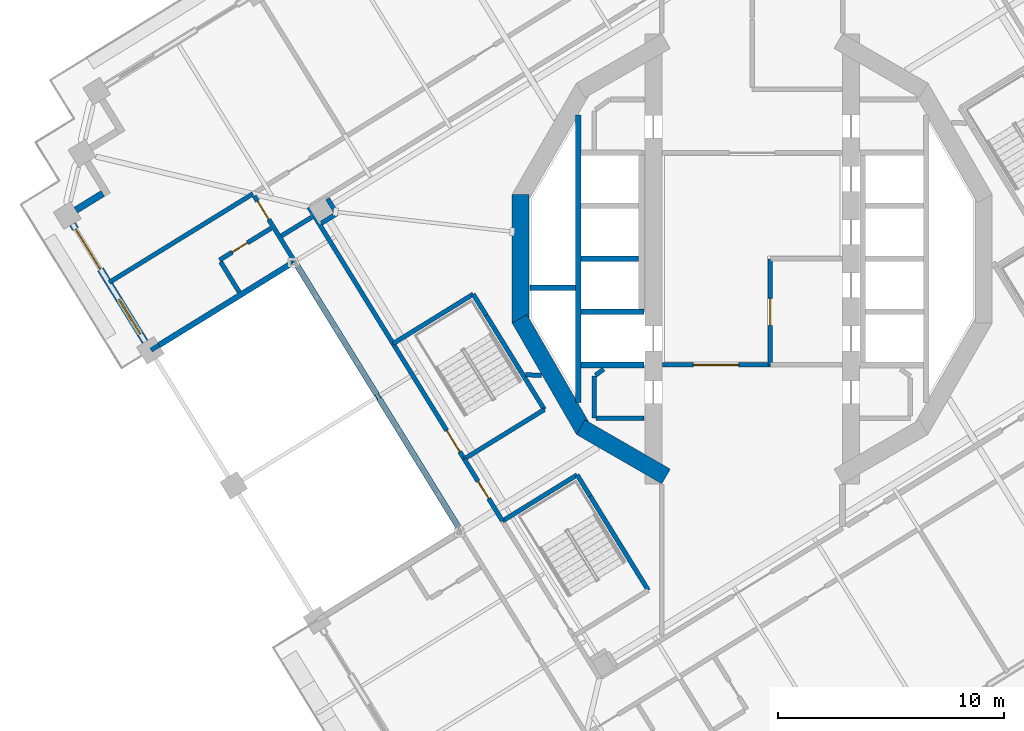
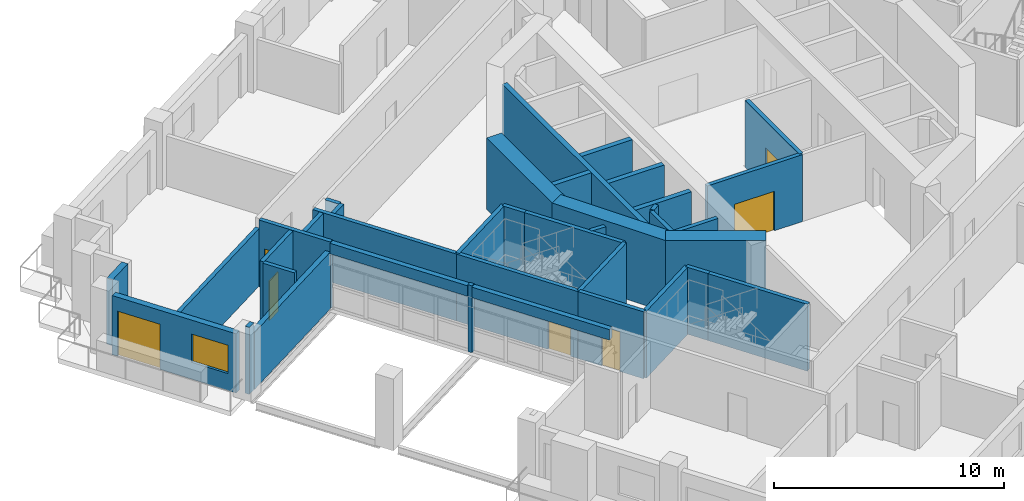
# One storey, part 6 of 20: 38 walls, 7 doors, 1 window, 8 openings.
"""IFC4 building model written with IfcOpenShell, lengths in metres."""

from ifc_helpers import new_model, si_unit, direction, frame, frame_2d, origin, place, context, subcontext, project, spatial, rectangle, extrude, material, layer, layer_set, type_object, element, fill, save


model = new_model("IFC4")

# Units and contexts
model_context = context("Model", 3, precision=1e-05, world=origin(), true_north=direction((0.0, 1.0)))
body_context = subcontext(model_context, "Body", "Model", "MODEL_VIEW")
ifc_project = project(units=[si_unit("LENGTHUNIT", "METRE"), si_unit("AREAUNIT", "SQUARE_METRE"), si_unit("VOLUMEUNIT", "CUBIC_METRE"), si_unit("PLANEANGLEUNIT", "RADIAN"), si_unit("MASSUNIT", "GRAM", prefix="KILO")], contexts=[model_context])

# Site, building, storey
site_placement = place(None, origin())
site = spatial("IfcSite", under=ifc_project, at=site_placement, CompositionType="ELEMENT")
building_placement = place(site_placement, origin())
building = spatial("IfcBuilding", under=site, at=building_placement, Name="Cantera Rosa Tower", CompositionType="ELEMENT")
storey_placement = place(building_placement, frame((0.0, 0.0, 151.39990234375)))
storey = spatial("IfcBuildingStorey", under=building, at=storey_placement, Name="L32", CompositionType="ELEMENT", Elevation=151.39990234375)

# Wall, opening, door
ifc_material_1 = material(Name="Gypsum board partition")
ifc_layer_1 = layer(ifc_material_1, 0.199951171875)
ifc_layer_set_1 = layer_set([ifc_layer_1], Name="CORRIDOR WALL 200 H3550")
wall_type_1 = type_object("IfcWallType", Name="CORRIDOR WALL 200 H3550", PredefinedType="PARTITIONING", material=ifc_layer_set_1)
wall_1_placement = place(storey_placement, frame((-22.037109375, 2.77392578125, 0.0), z_axis=(0.0, 0.0, 1.0), x_axis=(0.524928009261, -0.851146629608, 0.0)))
wall_1 = element("IfcWall", 1, at=wall_1_placement, inside=storey, type_object=wall_type_1, Name="CORRIDOR WALL L32-004", PredefinedType="PARTITIONING", context=body_context, shape_type="SweptSolid", body=[
    extrude(rectangle(XDim=3.52490234375, YDim=0.199951171875, at=frame_2d((1.762451171875, 0.0))), origin(), (0.0, 0.0, 1.0), 3.550048828125),
])
opening_1_placement = place(wall_1_placement, frame((0.264892578125, 0.0, 0.0)))
opening_1 = element("IfcOpeningElement", 2, at=opening_1_placement, cuts=wall_1, Name="Opening L32-030", PredefinedType="OPENING", context=body_context, shape_type="SweptSolid", body=[
    extrude(rectangle(XDim=0.949951171875, YDim=2.10009765625, at=frame_2d((0.47509765625, 1.050048828125))), frame((0.0, 0.10986328125, 0.0), z_axis=(0.0, -1.0, 0.0), x_axis=(1.0, 0.0, 0.0)), (0.0, 0.0, 1.0), 0.219970703125),
])
ifc_material_2 = material(Name="Timber door leaf", Category="wood")
door_type_1 = type_object("IfcDoorType", Name="ROOM DOOR 950x2100", OperationType="NOTDEFINED", PredefinedType="DOOR", material=ifc_material_2)
door_1_placement = place(opening_1_placement, origin())
door_1 = element("IfcDoor", 3, at=door_1_placement, inside=storey, type_object=door_type_1, Name="DOOR L32-030", OperationType="NOTDEFINED", OverallHeight=2.10009765625, OverallWidth=0.949951171875, PredefinedType="DOOR", context=body_context, shape_type="SweptSolid", body=[
    extrude(rectangle(XDim=0.949951171875, YDim=2.10009765625, at=frame_2d((0.47509765625, 1.050048828125))), frame((0.0, 0.02490234375, 0.0), z_axis=(0.0, -1.0, 0.0), x_axis=(1.0, 0.0, 0.0)), (0.0, 0.0, 1.0), 0.050048828125),
])
fill(opening_1, door_1)

# Walls
wall_2_placement = place(storey_placement, frame((-16.62109375, -6.007080078125, 0.0), z_axis=(0.0, 0.0, 1.0), x_axis=(0.525089061607, -0.851047282694, 0.0)))
element("IfcWall", 4, at=wall_2_placement, inside=storey, type_object=wall_type_1, Name="CORRIDOR WALL L32-005", PredefinedType="PARTITIONING", context=body_context, shape_type="SweptSolid", body=[
    extrude(rectangle(XDim=0.2060546875, YDim=0.199951171875, at=frame_2d((0.10302734375, 0.0))), origin(), (0.0, 0.0, 1.0), 3.550048828125),
])
wall_3_placement = place(storey_placement, frame((-20.8349609375, 1.015380859375, 0.0), z_axis=(0.0, 0.0, 1.0), x_axis=(0.851143253059, 0.52493348414, 0.0)))
element("IfcWall", 5, at=wall_3_placement, inside=storey, type_object=wall_type_1, Name="CORRIDOR WALL L32-007", PredefinedType="PARTITIONING", context=body_context, shape_type="SweptSolid", body=[
    extrude(rectangle(XDim=1.579833984375, YDim=0.199951171875, at=frame_2d((0.7900390625, 0.0))), origin(), (0.0, 0.0, 1.0), 3.550048828125),
])
wall_4_placement = place(storey_placement, frame((-19.623291015625, 2.2890625, 0.0), z_axis=(0.0, 0.0, 1.0), x_axis=(0.524973806956, -0.851118383076, 0.0)))
element("IfcWall", 6, at=wall_4_placement, inside=storey, type_object=wall_type_1, Name="CORRIDOR WALL L32-009", PredefinedType="PARTITIONING", context=body_context, shape_type="SweptSolid", body=[
    extrude(rectangle(XDim=7.100830078125, YDim=0.199951171875, at=frame_2d((3.55029296875, 0.0))), origin(), (0.0, 0.0, 1.0), 3.550048828125),
])

# Wall, opening, door
wall_5_placement = place(storey_placement, frame((-12.74560546875, -8.861328125, 0.0), z_axis=(0.0, 0.0, 1.0), x_axis=(0.524959112102, -0.851127446756, 0.0)))
wall_5 = element("IfcWall", 7, at=wall_5_placement, inside=storey, type_object=wall_type_1, Name="CORRIDOR WALL L32-017", PredefinedType="PARTITIONING", context=body_context, shape_type="SweptSolid", body=[
    extrude(rectangle(XDim=3.223876953125, YDim=0.199951171875, at=frame_2d((1.61181640625, 0.0))), origin(), (0.0, 0.0, 1.0), 3.550048828125),
])
opening_2_placement = place(wall_5_placement, frame((1.161865234375, 0.0, 0.0)))
opening_2 = element("IfcOpeningElement", 8, at=opening_2_placement, cuts=wall_5, Name="Opening L32-007", PredefinedType="OPENING", context=body_context, shape_type="SweptSolid", body=[
    extrude(rectangle(XDim=0.89990234375, YDim=2.10009765625, at=frame_2d((0.449951171875, 1.050048828125))), frame((0.0, 0.10986328125, 0.0), z_axis=(0.0, -1.0, 0.0), x_axis=(1.0, 0.0, 0.0)), (0.0, 0.0, 1.0), 0.219970703125),
])
ifc_material_3 = material(Name="Timber door leaf", Category="wood")
door_type_2 = type_object("IfcDoorType", Name="SERVICE DOOR 900x2100", OperationType="NOTDEFINED", PredefinedType="DOOR", material=ifc_material_3)
door_2_placement = place(opening_2_placement, origin())
door_2 = element("IfcDoor", 9, at=door_2_placement, inside=storey, type_object=door_type_2, Name="DOOR L32-007", OperationType="NOTDEFINED", OverallHeight=2.10009765625, OverallWidth=0.89990234375, PredefinedType="DOOR", context=body_context, shape_type="SweptSolid", body=[
    extrude(rectangle(XDim=0.89990234375, YDim=2.10009765625, at=frame_2d((0.449951171875, 1.050048828125))), frame((0.0, 0.02490234375, 0.0), z_axis=(0.0, -1.0, 0.0), x_axis=(1.0, 0.0, 0.0)), (0.0, 0.0, 1.0), 0.050048828125),
])
fill(opening_2, door_2)

wall_6_placement = place(storey_placement, frame((0.800048828125, -4.699951171875, 0.0), z_axis=(0.0, 0.0, 1.0), x_axis=(-1.0, 0.0, 0.0)))
wall_6 = element("IfcWall", 10, at=wall_6_placement, inside=storey, type_object=wall_type_1, Name="CORRIDOR WALL L32-062", PredefinedType="PARTITIONING", context=body_context, shape_type="SweptSolid", body=[
    extrude(rectangle(XDim=4.77001953125, YDim=0.199951171875, at=frame_2d((2.385009765625, 0.0))), origin(), (0.0, 0.0, 1.0), 3.550048828125),
])
opening_3_placement = place(wall_6_placement, frame((1.39990234375, 0.0, 0.0)))
opening_3 = element("IfcOpeningElement", 11, at=opening_3_placement, cuts=wall_6, Name="Opening L32-012", PredefinedType="OPENING", context=body_context, shape_type="SweptSolid", body=[
    extrude(rectangle(XDim=2.0, YDim=2.10009765625, at=frame_2d((1.0, 1.050048828125))), frame((0.0, 0.10986328125, 0.0), z_axis=(0.0, -1.0, 0.0), x_axis=(1.0, 0.0, 0.0)), (0.0, 0.0, 1.0), 0.219970703125),
])
ifc_material_4 = material(Name="Steel S355J2 (EN 10025-2)", Category="steel")
door_type_3 = type_object("IfcDoorType", Name="LOBBY SCREEN DOOR 2000x2100", OperationType="NOTDEFINED", PredefinedType="DOOR", material=ifc_material_4)
door_3_placement = place(opening_3_placement, origin())
door_3 = element("IfcDoor", 12, at=door_3_placement, inside=storey, type_object=door_type_3, Name="DOOR L32-012", OperationType="NOTDEFINED", OverallHeight=2.10009765625, OverallWidth=2.0, PredefinedType="DOOR", context=body_context, shape_type="SweptSolid", body=[
    extrude(rectangle(XDim=2.0, YDim=2.10009765625, at=frame_2d((1.0, 1.050048828125))), frame((0.0, 0.02490234375, 0.0), z_axis=(0.0, -1.0, 0.0), x_axis=(1.0, 0.0, 0.0)), (0.0, 0.0, 1.0), 0.050048828125),
])
fill(opening_3, door_3)

# Wall
ifc_material_5 = material(Name="Hollow clay masonry with cantera stone cladding", Category="masonry")
ifc_layer_2 = layer(ifc_material_5, 0.300048828125)
ifc_layer_set_2 = layer_set([ifc_layer_2], Name="EW-LOGGIA 300")
wall_type_2 = type_object("IfcWallType", Name="EW-LOGGIA 300", PredefinedType="SOLIDWALL", material=ifc_layer_set_2)
wall_7_placement = place(storey_placement, frame((-28.74658203125, 2.888916015625, 0.0), z_axis=(0.0, 0.0, 1.0), x_axis=(-0.851040987269, -0.525099264891, 0.0)))
element("IfcWall", 13, at=wall_7_placement, inside=storey, type_object=wall_type_2, Name="EN-L32-W14b", PredefinedType="SOLIDWALL", context=body_context, shape_type="SweptSolid", body=[
    extrude(rectangle(XDim=1.39990234375, YDim=0.300048828125, at=frame_2d((0.699951171875, 0.0))), origin(), (0.0, 0.0, 1.0), 3.5),
])

# Wall, openings, window, door
ifc_material_6 = material(Name="Hollow clay masonry with cantera stone cladding", Category="masonry")
ifc_layer_3 = layer(ifc_material_6, 0.300048828125)
ifc_layer_set_3 = layer_set([ifc_layer_3], Name="EW-LOGGIA 300 H3140")
wall_type_3 = type_object("IfcWallType", Name="EW-LOGGIA 300 H3140", PredefinedType="SOLIDWALL", material=ifc_layer_set_3)
wall_8_placement = place(storey_placement, frame((-30.084716796875, 1.53466796875, 0.0), z_axis=(0.0, 0.0, 1.0), x_axis=(0.524987447654, -0.851109969279, 0.0)))
wall_8 = element("IfcWall", 14, at=wall_8_placement, inside=storey, type_object=wall_type_3, Name="EN-L32-W15", PredefinedType="SOLIDWALL", context=body_context, shape_type="SweptSolid", body=[
    extrude(rectangle(XDim=6.119873046875, YDim=0.300048828125, at=frame_2d((3.06005859375, 0.0))), origin(), (0.0, 0.0, 1.0), 3.14013671875),
])
opening_4_placement = place(wall_8_placement, frame((0.2548828125, 0.0, 0.0)))
opening_4 = element("IfcOpeningElement", 15, at=opening_4_placement, cuts=wall_8, Name="Opening L32-TD21", PredefinedType="OPENING", context=body_context, shape_type="SweptSolid", body=[
    extrude(rectangle(XDim=2.10009765625, YDim=2.39990234375, at=frame_2d((1.050048828125, 1.199951171875))), frame((0.0, 0.159912109375, 0.0), z_axis=(0.0, -1.0, 0.0), x_axis=(1.0, 0.0, 0.0)), (0.0, 0.0, 1.0), 0.320068359375),
])
opening_5_placement = place(wall_8_placement, frame((3.9150390625, 0.0, 0.89990234375)))
opening_5 = element("IfcOpeningElement", 16, at=opening_5_placement, cuts=wall_8, Name="Opening L32-W22", PredefinedType="OPENING", context=body_context, shape_type="SweptSolid", body=[
    extrude(rectangle(XDim=1.800048828125, YDim=1.5, at=frame_2d((0.89990234375, 0.75))), frame((0.0, 0.159912109375, 0.0), z_axis=(0.0, -1.0, 0.0), x_axis=(1.0, 0.0, 0.0)), (0.0, 0.0, 1.0), 0.320068359375),
])
ifc_material_7 = material(Name="Aluminium frame with clear glass", Category="aluminium")
window_type = type_object("IfcWindowType", Name="Hotel room window 1800x1500", PartitioningType="DOUBLE_PANEL_VERTICAL", PredefinedType="WINDOW", material=ifc_material_7)
window_placement = place(opening_5_placement, origin())
window = element("IfcWindow", 17, at=window_placement, inside=storey, type_object=window_type, Name="WINDOW L32-W22", OverallHeight=1.5, OverallWidth=1.800048828125, PartitioningType="SINGLE_PANEL", PredefinedType="WINDOW", context=body_context, shape_type="SweptSolid", body=[
    extrude(rectangle(XDim=1.800048828125, YDim=1.5, at=frame_2d((0.89990234375, 0.75))), frame((0.0, 0.030029296875, 0.0), z_axis=(0.0, -1.0, 0.0), x_axis=(1.0, 0.0, 0.0)), (0.0, 0.0, 1.0), 0.06005859375),
])
fill(opening_5, window)
ifc_material_8 = material(Name="Aluminium frame with clear glass", Category="aluminium")
door_type_4 = type_object("IfcDoorType", Name="TD-H 2100x2400", OperationType="NOTDEFINED", PredefinedType="DOOR", material=ifc_material_8)
door_4_placement = place(opening_4_placement, origin())
door_4 = element("IfcDoor", 18, at=door_4_placement, inside=storey, type_object=door_type_4, Name="LOGGIA DOOR L32-TD21", OperationType="SLIDING_TO_LEFT", OverallHeight=2.39990234375, OverallWidth=2.10009765625, PredefinedType="DOOR", context=body_context, shape_type="SweptSolid", body=[
    extrude(rectangle(XDim=2.10009765625, YDim=2.39990234375, at=frame_2d((1.050048828125, 1.199951171875))), frame((0.0, 0.02490234375, 0.0), z_axis=(0.0, -1.0, 0.0), x_axis=(1.0, 0.0, 0.0)), (0.0, 0.0, 1.0), 0.050048828125),
])
fill(opening_4, door_4)

# Walls
ifc_material_9 = material(Name="Concrete C40/50", Category="concrete")
ifc_layer_4 = layer(ifc_material_9, 0.25)
ifc_layer_set_4 = layer_set([ifc_layer_4], Name="EW-POCKET CHEEK 250 H3020")
wall_type_4 = type_object("IfcWallType", Name="EW-POCKET CHEEK 250 H3020", PredefinedType="SOLIDWALL", material=ifc_layer_set_4)
wall_9_placement = place(storey_placement, frame((-26.252685546875, -3.82080078125, 0.0), z_axis=(0.0, 0.0, 1.0), x_axis=(0.851127184208, 0.524959537777, 0.0)))
element("IfcWall", 19, at=wall_9_placement, inside=storey, type_object=wall_type_4, Name="POCKET CHEEK A L32", PredefinedType="SOLIDWALL", context=body_context, shape_type="SweptSolid", body=[
    extrude(rectangle(XDim=6.949951171875, YDim=0.25, at=frame_2d((3.47509765625, 0.0))), origin(), (0.0, 0.0, 1.0), 3.02001953125),
])
ifc_material_10 = material(Name="Hollow clay masonry with cantera stone cladding", Category="masonry")
ifc_layer_5 = layer(ifc_material_10, 0.25)
ifc_layer_set_5 = layer_set([ifc_layer_5], Name="EW-POCKET REAR 250")
wall_type_5 = type_object("IfcWallType", Name="EW-POCKET REAR 250", PredefinedType="SOLIDWALL", material=ifc_layer_set_5)
for number, where, z_axis, x_axis, name in (
    (20, (-20.186767578125, -0.226318359375, 2.942138671875), (0.0, 0.0, 1.0), (0.524981583363, -0.851113586503, 0.0), "POCKET SPANDREL L32-1"),
    (21, (-16.512939453125, -6.182373046875, 2.942138671875), (0.0, 0.0, 1.0), (0.524981583363, -0.851113586503, 0.0), "POCKET SPANDREL L32-2"),
):
    element("IfcWall", number, at=place(storey_placement, frame(where, z_axis=z_axis, x_axis=x_axis)), inside=storey, type_object=wall_type_5, Name=name, PredefinedType="SOLIDWALL", context=body_context, shape_type="SweptSolid", body=[
        extrude(rectangle(XDim=6.7919921875, YDim=0.25, at=frame_2d((3.39599609375, 0.0))), origin(), (0.0, 0.0, 1.0), 0.557861328125),
    ])

# Wall, opening, door
ifc_material_11 = material(Name="Gypsum board partition")
ifc_layer_6 = layer(ifc_material_11, 0.199951171875)
ifc_layer_set_6 = layer_set([ifc_layer_6], Name="PARTITION 200 H3550")
wall_type_6 = type_object("IfcWallType", Name="PARTITION 200 H3550", PredefinedType="PARTITIONING", material=ifc_layer_set_6)
wall_10_placement = place(storey_placement, frame((-23.580322265625, -0.057861328125, 0.0), z_axis=(0.0, 0.0, 1.0), x_axis=(0.851110493934, 0.524986597082, 0.0)))
wall_10 = element("IfcWall", 22, at=wall_10_placement, inside=storey, type_object=wall_type_6, Name="PARTITION L32-001", PredefinedType="PARTITIONING", context=body_context, shape_type="SweptSolid", body=[
    extrude(rectangle(XDim=2.679931640625, YDim=0.199951171875, at=frame_2d((1.33984375, 0.0))), origin(), (0.0, 0.0, 1.0), 3.550048828125),
])
opening_6_placement = place(wall_10_placement, frame((0.6640625, 0.0, 0.0)))
opening_6 = element("IfcOpeningElement", 23, at=opening_6_placement, cuts=wall_10, Name="Opening L32-031", PredefinedType="OPENING", context=body_context, shape_type="SweptSolid", body=[
    extrude(rectangle(XDim=0.800048828125, YDim=2.10009765625, at=frame_2d((0.39990234375, 1.050048828125))), frame((0.0, 0.10986328125, 0.0), z_axis=(0.0, -1.0, 0.0), x_axis=(1.0, 0.0, 0.0)), (0.0, 0.0, 1.0), 0.219970703125),
])
ifc_material_12 = material(Name="Timber door leaf", Category="wood")
door_type_5 = type_object("IfcDoorType", Name="BATHROOM DOOR 800x2100", OperationType="NOTDEFINED", PredefinedType="DOOR", material=ifc_material_12)
door_5_placement = place(opening_6_placement, origin())
door_5 = element("IfcDoor", 24, at=door_5_placement, inside=storey, type_object=door_type_5, Name="DOOR L32-031", OperationType="NOTDEFINED", OverallHeight=2.10009765625, OverallWidth=0.800048828125, PredefinedType="DOOR", context=body_context, shape_type="SweptSolid", body=[
    extrude(rectangle(XDim=0.800048828125, YDim=2.10009765625, at=frame_2d((0.39990234375, 1.050048828125))), frame((0.0, 0.02490234375, 0.0), z_axis=(0.0, -1.0, 0.0), x_axis=(1.0, 0.0, 0.0)), (0.0, 0.0, 1.0), 0.050048828125),
])
fill(opening_6, door_5)

# Walls
wall_11_placement = place(storey_placement, frame((-22.706298828125, -1.474853515625, 0.0), z_axis=(0.0, 0.0, 1.0), x_axis=(-0.524941445141, 0.851138343146, 0.0)))
element("IfcWall", 25, at=wall_11_placement, inside=storey, type_object=wall_type_6, Name="PARTITION L32-002", PredefinedType="PARTITIONING", context=body_context, shape_type="SweptSolid", body=[
    extrude(rectangle(XDim=1.56494140625, YDim=0.199951171875, at=frame_2d((0.782470703125, 0.0))), origin(), (0.0, 0.0, 1.0), 3.550048828125),
])
wall_12_placement = place(storey_placement, frame((-26.252685546875, -3.82080078125, 0.0), z_axis=(0.0, 0.0, 1.0), x_axis=(-0.85085913097, -0.525393889615, 0.0)))
element("IfcWall", 26, at=wall_12_placement, inside=storey, type_object=wall_type_6, Name="PARTITION L32-008", PredefinedType="PARTITIONING", context=body_context, shape_type="SweptSolid", body=[
    extrude(rectangle(XDim=0.420166015625, YDim=0.199951171875, at=frame_2d((0.2099609375, 0.0))), origin(), (0.0, 0.0, 1.0), 3.550048828125),
])
wall_13_placement = place(storey_placement, frame((-19.065673828125, 1.575439453125, 0.0), z_axis=(0.0, 0.0, 1.0), x_axis=(0.85101860469, 0.525135539144, 0.0)))
element("IfcWall", 27, at=wall_13_placement, inside=storey, type_object=wall_type_6, Name="PARTITION L32-011", PredefinedType="PARTITIONING", context=body_context, shape_type="SweptSolid", body=[
    extrude(rectangle(XDim=0.800048828125, YDim=0.199951171875, at=frame_2d((0.39990234375, 0.0))), origin(), (0.0, 0.0, 1.0), 3.550048828125),
])
wall_14_placement = place(storey_placement, frame((-18.437255859375, 2.08056640625, 0.0), z_axis=(0.0, 0.0, 1.0), x_axis=(-0.524858358509, 0.851189581412, 0.0)))
element("IfcWall", 28, at=wall_14_placement, inside=storey, type_object=wall_type_6, Name="PARTITION L32-012", PredefinedType="PARTITIONING", context=body_context, shape_type="SweptSolid", body=[
    extrude(rectangle(XDim=0.68017578125, YDim=0.199951171875, at=frame_2d((0.340087890625, 0.0))), origin(), (0.0, 0.0, 1.0), 3.550048828125),
])
wall_15_placement = place(storey_placement, frame((-9.32275390625, -5.162841796875, 0.0), z_axis=(0.0, 0.0, 1.0), x_axis=(-0.999176042659, 0.040586152507, 0.0)))
element("IfcWall", 29, at=wall_15_placement, inside=storey, type_object=wall_type_6, Name="PARTITION L32-024", PredefinedType="PARTITIONING", context=body_context, shape_type="SweptSolid", body=[
    extrude(rectangle(XDim=0.709716796875, YDim=0.199951171875, at=frame_2d((0.35498046875, 0.0))), origin(), (0.0, 0.0, 1.0), 3.550048828125),
])
wall_16_placement = place(storey_placement, frame((-7.0, -7.050048828125, 0.0), z_axis=(0.0, 0.0, 1.0), x_axis=(0.0, 1.0, 0.0)))
element("IfcWall", 30, at=wall_16_placement, inside=storey, type_object=wall_type_6, Name="PARTITION L32-035", PredefinedType="PARTITIONING", context=body_context, shape_type="SweptSolid", body=[
    extrude(rectangle(XDim=1.85009765625, YDim=0.199951171875, at=frame_2d((0.925048828125, 0.0))), origin(), (0.0, 0.0, 1.0), 3.550048828125),
])
wall_17_placement = place(storey_placement, frame((-6.935302734375, -5.15283203125, 0.0), z_axis=(0.0, 0.0, 1.0), x_axis=(0.808147744029, 0.58897981614, 0.0)))
element("IfcWall", 31, at=wall_17_placement, inside=storey, type_object=wall_type_6, Name="PARTITION L32-036", PredefinedType="PARTITIONING", context=body_context, shape_type="SweptSolid", body=[
    extrude(rectangle(XDim=0.448974609375, YDim=0.199951171875, at=frame_2d((0.224609375, 0.0))), origin(), (0.0, 0.0, 1.0), 3.550048828125),
])
wall_18_placement = place(storey_placement, frame((-4.780029296875, -7.050048828125, 0.0), z_axis=(0.0, 0.0, 1.0), x_axis=(-1.0, 0.0, 0.0)))
element("IfcWall", 32, at=wall_18_placement, inside=storey, type_object=wall_type_6, Name="PARTITION L32-046", PredefinedType="PARTITIONING", context=body_context, shape_type="SweptSolid", body=[
    extrude(rectangle(XDim=2.139892578125, YDim=0.199951171875, at=frame_2d((1.06982421875, 0.0))), origin(), (0.0, 0.0, 1.0), 3.550048828125),
])
ifc_material_13 = material(Name="Gypsum board partition")
ifc_layer_7 = layer(ifc_material_13, 0.199951171875)
ifc_layer_set_7 = layer_set([ifc_layer_7], Name="PARTY WALL 200 H3050")
wall_type_7 = type_object("IfcWallType", Name="PARTY WALL 200 H3050", PredefinedType="PARTITIONING", material=ifc_layer_set_7)
wall_19_placement = place(storey_placement, frame((-22.10009765625, 2.876220703125, 0.0), z_axis=(0.0, 0.0, 1.0), x_axis=(-0.85111586596, -0.524977887831, 0.0)))
element("IfcWall", 33, at=wall_19_placement, inside=storey, type_object=wall_type_7, Name="PARTY WALL L32-003", PredefinedType="PARTITIONING", context=body_context, shape_type="SweptSolid", body=[
    extrude(rectangle(XDim=7.469970703125, YDim=0.199951171875, at=frame_2d((3.73486328125, 0.0))), origin(), (0.0, 0.0, 1.0), 3.050048828125),
])
ifc_material_14 = material(Name="Concrete C60/75", Category="concrete")
ifc_layer_8 = layer(ifc_material_14, 0.75)
ifc_layer_set_8 = layer_set([ifc_layer_8], Name="RC CORE WALL 750 C60/75")
wall_type_8 = type_object("IfcWallType", Name="RC CORE WALL 750 C60/75", PredefinedType="SHEAR", material=ifc_layer_set_8)
wall_20_placement = place(storey_placement, frame((-3.8125, -9.634765625, 0.0), z_axis=(0.0, 0.0, 1.0), x_axis=(-0.866013176292, 0.50002117804, 0.0)))
element("IfcWall", 34, at=wall_20_placement, inside=storey, type_object=wall_type_8, Name="CW-W1 L32", PredefinedType="SHEAR", context=body_context, shape_type="SweptSolid", body=[
    extrude(rectangle(XDim=4.362548828125, YDim=0.75, at=frame_2d((2.18115234375, 0.0))), origin(), (0.0, 0.0, 1.0), 3.800048828125),
])
wall_21_placement = place(storey_placement, frame((-7.453369140625, -7.590576171875, 0.0), z_axis=(0.0, 0.0, 1.0), x_axis=(-0.500021842983, 0.866012792365, 0.0)))
element("IfcWall", 35, at=wall_21_placement, inside=storey, type_object=wall_type_8, Name="CW-W2 L32", PredefinedType="SHEAR", context=body_context, shape_type="SweptSolid", body=[
    extrude(rectangle(XDim=5.694091796875, YDim=0.75, at=frame_2d((2.84716796875, 0.0))), origin(), (0.0, 0.0, 1.0), 3.800048828125),
])
wall_22_placement = place(storey_placement, frame((-10.250244140625, -2.846923828125, 0.0), z_axis=(0.0, 0.0, 1.0), x_axis=(0.0, 1.0, 0.0)))
element("IfcWall", 36, at=wall_22_placement, inside=storey, type_object=wall_type_8, Name="CW-W3 L32", PredefinedType="SHEAR", context=body_context, shape_type="SweptSolid", body=[
    extrude(rectangle(XDim=5.69384765625, YDim=0.75, at=frame_2d((2.846923828125, 0.0))), origin(), (0.0, 0.0, 1.0), 3.800048828125),
])
ifc_material_15 = material(Name="Masonry blockwork", Category="masonry")
ifc_layer_9 = layer(ifc_material_15, 0.25)
ifc_layer_set_9 = layer_set([ifc_layer_9], Name="SHAFT WALL 250 H3550")
wall_type_9 = type_object("IfcWallType", Name="SHAFT WALL 250 H3550", PredefinedType="SOLIDWALL", material=ifc_layer_set_9)
wall_23_placement = place(storey_placement, frame((-9.84521484375, -1.28271484375, 0.0), z_axis=(0.0, 0.0, 1.0), x_axis=(1.0, 0.0, 0.0)))
element("IfcWall", 37, at=wall_23_placement, inside=storey, type_object=wall_type_9, Name="SHAFT WALL L32-023", PredefinedType="SOLIDWALL", context=body_context, shape_type="SweptSolid", body=[
    extrude(rectangle(XDim=2.020263671875, YDim=0.25, at=frame_2d((1.01025390625, 0.0))), origin(), (0.0, 0.0, 1.0), 3.550048828125),
])
wall_24_placement = place(storey_placement, frame((-7.574951171875, -2.35009765625, 0.0), z_axis=(0.0, 0.0, 1.0), x_axis=(1.0, 0.0, 0.0)))
element("IfcWall", 38, at=wall_24_placement, inside=storey, type_object=wall_type_9, Name="SHAFT WALL L32-029", PredefinedType="SOLIDWALL", context=body_context, shape_type="SweptSolid", body=[
    extrude(rectangle(XDim=2.794921875, YDim=0.25, at=frame_2d((1.3974609375, 0.0))), origin(), (0.0, 0.0, 1.0), 3.550048828125),
])
wall_25_placement = place(storey_placement, frame((-7.574951171875, 0.0, 0.0), z_axis=(0.0, 0.0, 1.0), x_axis=(1.0, 0.0, 0.0)))
element("IfcWall", 39, at=wall_25_placement, inside=storey, type_object=wall_type_9, Name="SHAFT WALL L32-030", PredefinedType="SOLIDWALL", context=body_context, shape_type="SweptSolid", body=[
    extrude(rectangle(XDim=2.550048828125, YDim=0.25, at=frame_2d((1.27490234375, 0.0))), origin(), (0.0, 0.0, 1.0), 3.550048828125),
])
wall_26_placement = place(storey_placement, frame((-7.699951171875, 6.353515625, 0.0), z_axis=(0.0, 0.0, 1.0), x_axis=(0.0, -1.0, 0.0)))
element("IfcWall", 40, at=wall_26_placement, inside=storey, type_object=wall_type_9, Name="SHAFT WALL L32-033", PredefinedType="SOLIDWALL", context=body_context, shape_type="SweptSolid", body=[
    extrude(rectangle(XDim=12.70703125, YDim=0.25, at=frame_2d((6.353515625, 0.0))), origin(), (0.0, 0.0, 1.0), 3.550048828125),
])
wall_27_placement = place(storey_placement, frame((-4.780029296875, -4.699951171875, 0.0), z_axis=(0.0, 0.0, 1.0), x_axis=(-1.0, 0.0, 0.0)))
element("IfcWall", 41, at=wall_27_placement, inside=storey, type_object=wall_type_9, Name="SHAFT WALL L32-047", PredefinedType="SOLIDWALL", context=body_context, shape_type="SweptSolid", body=[
    extrude(rectangle(XDim=2.794921875, YDim=0.25, at=frame_2d((1.3974609375, 0.0))), origin(), (0.0, 0.0, 1.0), 3.550048828125),
])

# Wall, opening, door
ifc_material_16 = material(Name="Concrete C50/60", Category="concrete")
ifc_layer_10 = layer(ifc_material_16, 0.199951171875)
ifc_layer_set_10 = layer_set([ifc_layer_10], Name="STAIR WALL 200 H3550")
wall_type_10 = type_object("IfcWallType", Name="STAIR WALL 200 H3550", PredefinedType="SOLIDWALL", material=ifc_layer_set_10)
wall_28_placement = place(storey_placement, frame((-15.8955078125, -3.754638671875, 0.0), z_axis=(0.0, 0.0, 1.0), x_axis=(0.524982543144, -0.851112994493, 0.0)))
wall_28 = element("IfcWall", 42, at=wall_28_placement, inside=storey, type_object=wall_type_10, Name="STAIR WALL L32-014", PredefinedType="SOLIDWALL", context=body_context, shape_type="SweptSolid", body=[
    extrude(rectangle(XDim=6.0, YDim=0.199951171875, at=frame_2d((3.0, 0.0))), origin(), (0.0, 0.0, 1.0), 3.550048828125),
])
opening_7_placement = place(wall_28_placement, frame((4.52490234375, 0.0, 0.0)))
opening_7 = element("IfcOpeningElement", 43, at=opening_7_placement, cuts=wall_28, Name="Opening L32-002", PredefinedType="OPENING", context=body_context, shape_type="SweptSolid", body=[
    extrude(rectangle(XDim=1.10009765625, YDim=2.10009765625, at=frame_2d((0.550048828125, 1.050048828125))), frame((0.0, 0.10986328125, 0.0), z_axis=(0.0, -1.0, 0.0), x_axis=(1.0, 0.0, 0.0)), (0.0, 0.0, 1.0), 0.219970703125),
])
ifc_material_17 = material(Name="Steel S355J2 (EN 10025-2)", Category="steel")
door_type_6 = type_object("IfcDoorType", Name="STAIR DOOR 1100x2100", OperationType="NOTDEFINED", PredefinedType="DOOR", material=ifc_material_17)
door_6_placement = place(opening_7_placement, origin())
door_6 = element("IfcDoor", 44, at=door_6_placement, inside=storey, type_object=door_type_6, Name="DOOR L32-002", OperationType="NOTDEFINED", OverallHeight=2.10009765625, OverallWidth=1.10009765625, PredefinedType="DOOR", context=body_context, shape_type="SweptSolid", body=[
    extrude(rectangle(XDim=1.10009765625, YDim=2.10009765625, at=frame_2d((0.550048828125, 1.050048828125))), frame((0.0, 0.02490234375, 0.0), z_axis=(0.0, -1.0, 0.0), x_axis=(1.0, 0.0, 0.0)), (0.0, 0.0, 1.0), 0.050048828125),
])
fill(opening_7, door_6)

# Walls
for number, where, z_axis, x_axis, name in (
    (45, (-12.74560546875, -8.861328125, 0.0), (0.0, 0.0, 1.0), (0.851120688733, 0.524970068871, 0.0), "STAIR WALL L32-018"),
    (46, (-12.349365234375, -1.5673828125, 0.0), (0.0, 0.0, 1.0), (-0.851120688733, -0.524970068871, 0.0), "STAIR WALL L32-020"),
):
    element("IfcWall", number, at=place(storey_placement, frame(where, z_axis=z_axis, x_axis=x_axis)), inside=storey, type_object=wall_type_10, Name=name, PredefinedType="SOLIDWALL", context=body_context, shape_type="SweptSolid", body=[
        extrude(rectangle(XDim=4.16650390625, YDim=0.199951171875, at=frame_2d((2.083251953125, 0.0))), origin(), (0.0, 0.0, 1.0), 3.550048828125),
    ])
wall_29_placement = place(storey_placement, frame((-9.199462890625, -6.674072265625, 0.0), z_axis=(0.0, 0.0, 1.0), x_axis=(-0.524942245614, 0.851137849452, 0.0)))
element("IfcWall", 47, at=wall_29_placement, inside=storey, type_object=wall_type_10, Name="STAIR WALL L32-025", PredefinedType="SOLIDWALL", context=body_context, shape_type="SweptSolid", body=[
    extrude(rectangle(XDim=4.900146484375, YDim=0.199951171875, at=frame_2d((2.4501953125, 0.0))), origin(), (0.0, 0.0, 1.0), 3.550048828125),
])
wall_30_placement = place(storey_placement, frame((-7.749267578125, -9.5673828125, 0.0), z_axis=(0.0, 0.0, 1.0), x_axis=(-0.851124503894, -0.524963883397, 0.0)))
element("IfcWall", 48, at=wall_30_placement, inside=storey, type_object=wall_type_10, Name="STAIR WALL L32-028", PredefinedType="SOLIDWALL", context=body_context, shape_type="SweptSolid", body=[
    extrude(rectangle(XDim=3.8818359375, YDim=0.199951171875, at=frame_2d((1.94091796875, 0.0))), origin(), (0.0, 0.0, 1.0), 3.550048828125),
])
wall_31_placement = place(storey_placement, frame((-4.599365234375, -14.674072265625, 0.0), z_axis=(0.0, 0.0, 1.0), x_axis=(-0.524978338244, 0.85111558814, 0.0)))
element("IfcWall", 49, at=wall_31_placement, inside=storey, type_object=wall_type_10, Name="STAIR WALL L32-049", PredefinedType="SOLIDWALL", context=body_context, shape_type="SweptSolid", body=[
    extrude(rectangle(XDim=4.900146484375, YDim=0.199951171875, at=frame_2d((2.4501953125, 0.0))), origin(), (0.0, 0.0, 1.0), 3.550048828125),
])

# Wall, opening, door
wall_32_placement = place(storey_placement, frame((0.800048828125, -4.699951171875, 0.0), z_axis=(0.0, 0.0, 1.0), x_axis=(0.0, 1.0, 0.0)))
wall_32 = element("IfcWall", 50, at=wall_32_placement, inside=storey, type_object=wall_type_10, Name="STAIR WALL L32-063", PredefinedType="SOLIDWALL", context=body_context, shape_type="SweptSolid", body=[
    extrude(rectangle(XDim=4.699951171875, YDim=0.199951171875, at=frame_2d((2.35009765625, 0.0))), origin(), (0.0, 0.0, 1.0), 3.550048828125),
])
opening_8_placement = place(wall_32_placement, frame((1.75, 0.0, 0.0)))
opening_8 = element("IfcOpeningElement", 51, at=opening_8_placement, cuts=wall_32, Name="Opening L32-013", PredefinedType="OPENING", context=body_context, shape_type="SweptSolid", body=[
    extrude(rectangle(XDim=1.199951171875, YDim=2.10009765625, at=frame_2d((0.60009765625, 1.050048828125))), frame((0.0, 0.10986328125, 0.0), z_axis=(0.0, -1.0, 0.0), x_axis=(1.0, 0.0, 0.0)), (0.0, 0.0, 1.0), 0.219970703125),
])
ifc_material_18 = material(Name="Steel S355J2 (EN 10025-2)", Category="steel")
door_type_7 = type_object("IfcDoorType", Name="FIRE DOOR 1200x2100", OperationType="NOTDEFINED", PredefinedType="DOOR", material=ifc_material_18)
door_7_placement = place(opening_8_placement, origin())
door_7 = element("IfcDoor", 52, at=door_7_placement, inside=storey, type_object=door_type_7, Name="DOOR L32-013", OperationType="NOTDEFINED", OverallHeight=2.10009765625, OverallWidth=1.199951171875, PredefinedType="DOOR", context=body_context, shape_type="SweptSolid", body=[
    extrude(rectangle(XDim=1.199951171875, YDim=2.10009765625, at=frame_2d((0.60009765625, 1.050048828125))), frame((0.0, 0.02490234375, 0.0), z_axis=(0.0, -1.0, 0.0), x_axis=(1.0, 0.0, 0.0)), (0.0, 0.0, 1.0), 0.050048828125),
])
fill(opening_8, door_7)

# Walls
for number, where, z_axis, x_axis, name in (
    (53, (-11.771728515625, -2.50341796875, 0.0), (0.0, 0.0, 1.0), (-0.525162052325, 0.851002243709, 0.0), "STAIR WALL L32-025 J"),
    (54, (-7.171875, -10.50341796875, 0.0), (0.0, 0.0, 1.0), (-0.52500127828, 0.851101438023, 0.0), "STAIR WALL L32-049 J"),
):
    element("IfcWall", number, at=place(storey_placement, frame(where, z_axis=z_axis, x_axis=x_axis)), inside=storey, type_object=wall_type_10, Name=name, PredefinedType="SOLIDWALL", context=body_context, shape_type="SweptSolid", body=[
        extrude(rectangle(XDim=1.099853515625, YDim=0.199951171875, at=frame_2d((0.5498046875, 0.0))), origin(), (0.0, 0.0, 1.0), 3.550048828125),
    ])

save(model, "model.ifc")
